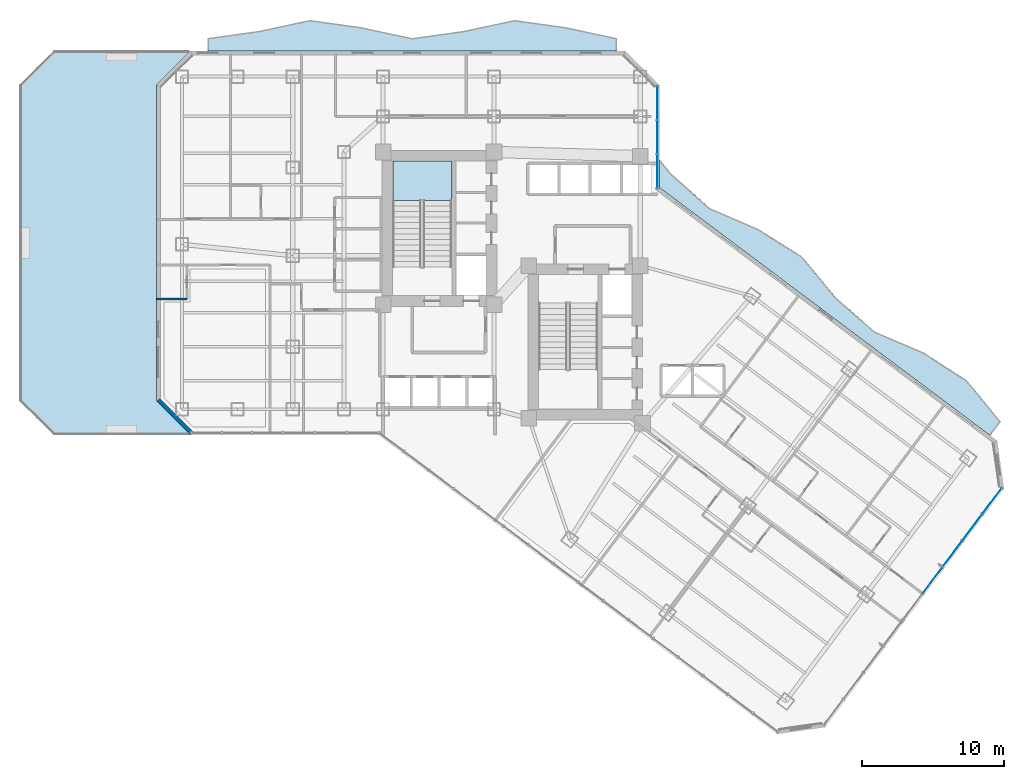
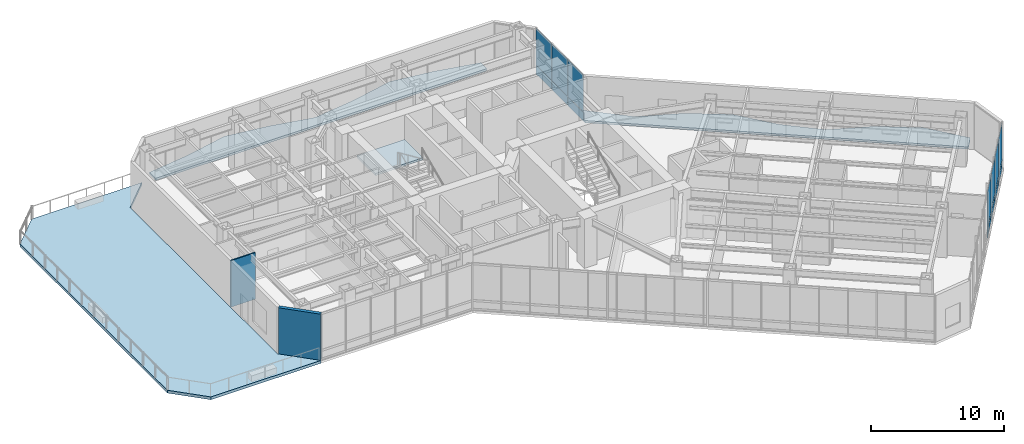
# One storey, part 15 of 27: 14 plates, 4 slabs, 2 walls, 3 elements without a shape of their own.
"""IFC4 building model written with IfcOpenShell, lengths in metres."""

from ifc_helpers import new_model, si_unit, direction, frame, frame_2d, origin, origin_2d, place, context, subcontext, project, spatial, polyline, rectangle, outline, extrude, material, layer, layer_set, type_object, element, aggregate, save


model = new_model("IFC4")

# Units and contexts
model_context = context("Model", 3, precision=1e-05, world=origin(), true_north=direction((0.0, 1.0)))
body_context = subcontext(model_context, "Body", "Model", "MODEL_VIEW")
ifc_project = project(units=[si_unit("LENGTHUNIT", "METRE"), si_unit("AREAUNIT", "SQUARE_METRE"), si_unit("VOLUMEUNIT", "CUBIC_METRE"), si_unit("PLANEANGLEUNIT", "RADIAN"), si_unit("MASSUNIT", "GRAM", prefix="KILO")], contexts=[model_context])

# Site, building, storey
site_placement = place(None, origin())
site = spatial("IfcSite", under=ifc_project, at=site_placement, CompositionType="ELEMENT")
building_placement = place(site_placement, origin())
building = spatial("IfcBuilding", under=site, at=building_placement, Name="Hatsunagi Terrace Concourse", CompositionType="ELEMENT")
storey_placement = place(building_placement, frame((0.0, 0.0, 70.10009765625)))
storey = spatial("IfcBuildingStorey", under=building, at=storey_placement, Name="L18", CompositionType="ELEMENT", Elevation=70.10009765625)

# Curtain wall, plates
ifc_material_1 = material(Name="Anodised Aluminium Alloy 6063-T5", Category="aluminium")
ifc_layer_1 = layer(ifc_material_1, 0.199951171875)
ifc_layer_set_1 = layer_set([ifc_layer_1], Name="SkyLobbyAtrium_CW05")
curtain_wall_type = type_object("IfcCurtainWallType", Name="SkyLobbyAtrium_CW05", PredefinedType="NOTDEFINED", material=ifc_layer_set_1)
curtain_wall_1_placement = place(storey_placement, origin())
curtain_wall_1 = element("IfcCurtainWall", 1, at=curtain_wall_1_placement, inside=storey, type_object=curtain_wall_type, Name="Unitised Curtain Wall CW-05 CW-L18-03", PredefinedType="NOTDEFINED")
ifc_material_2 = material(Name="Warm Terracotta Ceramic Spandrel Panel", Category="masonry")
ifc_layer_2 = layer(ifc_material_2, 0.031982421875)
ifc_layer_set_2 = layer_set([ifc_layer_2], Name="CurtainWallSpandrelPanel_32")
plate_type_1 = type_object("IfcPlateType", Name="CurtainWallSpandrelPanel_32", PredefinedType="SHEET", material=ifc_layer_set_2)
plate_1_placement = place(storey_placement, frame((68.39697265625, 18.72998046875, 0.02978515625), z_axis=(0.0, 0.0, 1.0), x_axis=(-0.599969314634, -0.800023013105, 0.0)))
plate_1 = element("IfcPlate", 2, at=plate_1_placement, type_object=plate_type_1, Name="Terracotta Spandrel Panel SPN-01", PredefinedType="SHEET", context=body_context, shape_type="SweptSolid", body=[
    extrude(rectangle(XDim=2.264892578125, YDim=0.031982421875, at=origin_2d()), origin(), (0.0, 0.0, 1.0), 0.7900390625),
])
plate_2_placement = place(storey_placement, frame((67.0048828125, 16.873046875, 0.02978515625), z_axis=(0.0, 0.0, 1.0), x_axis=(-0.599969314634, -0.800023013105, 0.0)))
plate_2 = element("IfcPlate", 3, at=plate_2_placement, type_object=plate_type_1, Name="Terracotta Spandrel Panel SPN-01", PredefinedType="SHEET", context=body_context, shape_type="SweptSolid", body=[
    extrude(rectangle(XDim=2.264892578125, YDim=0.031982421875, at=origin_2d()), origin(), (0.0, 0.0, 1.0), 0.7900390625),
])
plate_3_placement = place(storey_placement, frame((65.612060546875, 15.01708984375, 0.02978515625), z_axis=(0.0, 0.0, 1.0), x_axis=(-0.599969314634, -0.800023013105, 0.0)))
plate_3 = element("IfcPlate", 4, at=plate_3_placement, type_object=plate_type_1, Name="Terracotta Spandrel Panel SPN-01", PredefinedType="SHEET", context=body_context, shape_type="SweptSolid", body=[
    extrude(rectangle(XDim=2.264892578125, YDim=0.031982421875, at=origin_2d()), origin(), (0.0, 0.0, 1.0), 0.7900390625),
])
plate_4_placement = place(storey_placement, frame((64.219970703125, 13.159912109375, 0.02978515625), z_axis=(0.0, 0.0, 1.0), x_axis=(-0.599969314634, -0.800023013105, 0.0)))
plate_4 = element("IfcPlate", 5, at=plate_4_placement, type_object=plate_type_1, Name="Terracotta Spandrel Panel SPN-01", PredefinedType="SHEET", context=body_context, shape_type="SweptSolid", body=[
    extrude(rectangle(XDim=2.264892578125, YDim=0.031982421875, at=origin_2d()), origin(), (0.0, 0.0, 1.0), 0.7900390625),
])

curtain_wall_2_placement = place(storey_placement, origin())
curtain_wall_2 = element("IfcCurtainWall", 6, at=curtain_wall_2_placement, inside=storey, type_object=curtain_wall_type, Name="Unitised Curtain Wall CW-05 CW-L18-13", PredefinedType="NOTDEFINED")
plate_5_placement = place(storey_placement, frame((44.860107421875, 46.739990234375, 0.02978515625), z_axis=(0.0, 0.0, 1.0), x_axis=(0.0, -1.0, 0.0)))
plate_5 = element("IfcPlate", 7, at=plate_5_placement, type_object=plate_type_1, Name="Terracotta Spandrel Panel SPN-01", PredefinedType="SHEET", context=body_context, shape_type="SweptSolid", body=[
    extrude(rectangle(XDim=2.34912109375, YDim=0.031982421875, at=origin_2d()), origin(), (0.0, 0.0, 1.0), 0.7900390625),
])
plate_6_placement = place(storey_placement, frame((44.860107421875, 44.3359375, 0.02978515625), z_axis=(0.0, 0.0, 1.0), x_axis=(0.0, -1.0, 0.0)))
plate_6 = element("IfcPlate", 8, at=plate_6_placement, type_object=plate_type_1, Name="Terracotta Spandrel Panel SPN-01", PredefinedType="SHEET", context=body_context, shape_type="SweptSolid", body=[
    extrude(rectangle(XDim=2.34912109375, YDim=0.031982421875, at=origin_2d()), origin(), (0.0, 0.0, 1.0), 0.7900390625),
])
plate_7_placement = place(storey_placement, frame((44.860107421875, 41.931884765625, 0.02978515625), z_axis=(0.0, 0.0, 1.0), x_axis=(0.0, -1.0, 0.0)))
plate_7 = element("IfcPlate", 9, at=plate_7_placement, type_object=plate_type_1, Name="Terracotta Spandrel Panel SPN-01", PredefinedType="SHEET", context=body_context, shape_type="SweptSolid", body=[
    extrude(rectangle(XDim=2.34912109375, YDim=0.031982421875, at=origin_2d()), origin(), (0.0, 0.0, 1.0), 0.7900390625),
])

# Plate
ifc_material_3 = material(Name="Low-E Double Insulating Glass 28mm", Category="glass")
ifc_layer_3 = layer(ifc_material_3, 0.028076171875)
ifc_layer_set_3 = layer_set([ifc_layer_3], Name="CurtainWallVisionGlass_28")
plate_type_2 = type_object("IfcPlateType", Name="CurtainWallVisionGlass_28", PredefinedType="CURTAIN_PANEL", material=ifc_layer_set_3)
plate_8_placement = place(storey_placement, frame((68.39697265625, 18.72998046875, 0.8798828125), z_axis=(0.0, 0.0, 1.0), x_axis=(-0.599969314634, -0.800023013105, 0.0)))
plate_8 = element("IfcPlate", 10, at=plate_8_placement, type_object=plate_type_2, Name="Low-E Vision Glass Panel GLZ-01", PredefinedType="CURTAIN_PANEL", context=body_context, shape_type="SweptSolid", body=[
    extrude(rectangle(XDim=2.264892578125, YDim=0.028076171875, at=origin_2d()), origin(), (0.0, 0.0, 1.0), 3.3701171875),
])

plate_9_placement = place(storey_placement, frame((67.0048828125, 16.873046875, 0.8798828125), z_axis=(0.0, 0.0, 1.0), x_axis=(-0.599969314634, -0.800023013105, 0.0)))
plate_9 = element("IfcPlate", 11, at=plate_9_placement, type_object=plate_type_2, Name="Low-E Vision Glass Panel GLZ-01", PredefinedType="CURTAIN_PANEL", context=body_context, shape_type="SweptSolid", body=[
    extrude(rectangle(XDim=2.264892578125, YDim=0.028076171875, at=origin_2d()), origin(), (0.0, 0.0, 1.0), 3.3701171875),
])

plate_10_placement = place(storey_placement, frame((65.612060546875, 15.01708984375, 0.8798828125), z_axis=(0.0, 0.0, 1.0), x_axis=(-0.599969314634, -0.800023013105, 0.0)))
plate_10 = element("IfcPlate", 12, at=plate_10_placement, type_object=plate_type_2, Name="Low-E Vision Glass Panel GLZ-01", PredefinedType="CURTAIN_PANEL", context=body_context, shape_type="SweptSolid", body=[
    extrude(rectangle(XDim=2.264892578125, YDim=0.028076171875, at=origin_2d()), origin(), (0.0, 0.0, 1.0), 3.3701171875),
])

plate_11_placement = place(storey_placement, frame((64.219970703125, 13.159912109375, 0.8798828125), z_axis=(0.0, 0.0, 1.0), x_axis=(-0.599969314634, -0.800023013105, 0.0)))
plate_11 = element("IfcPlate", 13, at=plate_11_placement, type_object=plate_type_2, Name="Low-E Vision Glass Panel GLZ-01", PredefinedType="CURTAIN_PANEL", context=body_context, shape_type="SweptSolid", body=[
    extrude(rectangle(XDim=2.264892578125, YDim=0.028076171875, at=origin_2d()), origin(), (0.0, 0.0, 1.0), 3.3701171875),
])

aggregate(curtain_wall_1, [plate_1, plate_8, plate_2, plate_9, plate_3, plate_10, plate_4, plate_11])

plate_12_placement = place(storey_placement, frame((44.860107421875, 46.739990234375, 0.8798828125), z_axis=(0.0, 0.0, 1.0), x_axis=(0.0, -1.0, 0.0)))
plate_12 = element("IfcPlate", 14, at=plate_12_placement, type_object=plate_type_2, Name="Low-E Vision Glass Panel GLZ-01", PredefinedType="CURTAIN_PANEL", context=body_context, shape_type="SweptSolid", body=[
    extrude(rectangle(XDim=2.34912109375, YDim=0.028076171875, at=origin_2d()), origin(), (0.0, 0.0, 1.0), 3.3701171875),
])

plate_13_placement = place(storey_placement, frame((44.860107421875, 44.3359375, 0.8798828125), z_axis=(0.0, 0.0, 1.0), x_axis=(0.0, -1.0, 0.0)))
plate_13 = element("IfcPlate", 15, at=plate_13_placement, type_object=plate_type_2, Name="Low-E Vision Glass Panel GLZ-01", PredefinedType="CURTAIN_PANEL", context=body_context, shape_type="SweptSolid", body=[
    extrude(rectangle(XDim=2.34912109375, YDim=0.028076171875, at=origin_2d()), origin(), (0.0, 0.0, 1.0), 3.3701171875),
])

plate_14_placement = place(storey_placement, frame((44.860107421875, 41.931884765625, 0.8798828125), z_axis=(0.0, 0.0, 1.0), x_axis=(0.0, -1.0, 0.0)))
plate_14 = element("IfcPlate", 16, at=plate_14_placement, type_object=plate_type_2, Name="Low-E Vision Glass Panel GLZ-01", PredefinedType="CURTAIN_PANEL", context=body_context, shape_type="SweptSolid", body=[
    extrude(rectangle(XDim=2.34912109375, YDim=0.028076171875, at=origin_2d()), origin(), (0.0, 0.0, 1.0), 3.3701171875),
])

aggregate(curtain_wall_2, [plate_5, plate_12, plate_6, plate_13, plate_7, plate_14])

# Stair, slab
ifc_material_4 = material(Name="Concrete Fc42", Category="concrete")
stair_type = type_object("IfcStairType", Name="DoglegExitStair_Tower2000_26R_173", PredefinedType="HALF_TURN_STAIR", material=ifc_material_4)
stair_placement = place(storey_placement, origin())
stair = element("IfcStair", 17, at=stair_placement, inside=storey, type_object=stair_type, Name="L18 Core A Protected Exit Stair ST-A", PredefinedType="HALF_TURN_STAIR")
ifc_material_5 = material(Name="Concrete Fc42", Category="concrete")
ifc_layer_4 = layer(ifc_material_5, 0.199951171875)
ifc_layer_set_4 = layer_set([ifc_layer_4], Name="DoglegStairLanding_Tower2000")
slab_type_1 = type_object("IfcSlabType", Name="DoglegStairLanding_Tower2000", PredefinedType="LANDING", material=ifc_layer_set_4)
slab_1_placement = place(storey_placement, frame((0.0, 0.0, 2.0498046875)))
slab_1 = element("IfcSlab", 18, at=slab_1_placement, type_object=slab_type_1, Name="ST-A landing 1", PredefinedType="LANDING", context=body_context, shape_type="SweptSolid", body=[
    extrude(outline(polyline([(30.3798828125, 39.8798828125), (30.3798828125, 42.659912109375), (26.22998046875, 42.659912109375), (26.22998046875, 39.8798828125), (30.3798828125, 39.8798828125)])), origin(), (0.0, 0.0, 1.0), 0.2001953125),
])
aggregate(stair, [slab_1])

# Slabs
ifc_material_6 = material(Name="Concrete Fc42", Category="concrete")
ifc_layer_5 = layer(ifc_material_6, 0.199951171875)
ifc_layer_set_5 = layer_set([ifc_layer_5], Name="EngawaBalconySlab_Fc42_200")
slab_type_2 = type_object("IfcSlabType", Name="EngawaBalconySlab_Fc42_200", PredefinedType="FLOOR", material=ifc_layer_set_5)
slab_2_placement = place(storey_placement, frame((0.0, 0.0, -0.2001953125)))
element("IfcSlab", 19, at=slab_2_placement, inside=storey, type_object=slab_type_2, Name="Engawa Balcony Slab BAL-L18-BN", PredefinedType="FLOOR", context=body_context, shape_type="SweptSolid", body=[
    extrude(outline(polyline([(13.199951171875, 51.31396484375), (13.199951171875, 50.39990234375), (42.0, 50.39990234375), (42.0, 51.31396484375), (38.39990234375, 52.0849609375), (34.800048828125, 52.5859375), (31.199951171875, 51.81494140625), (27.60009765625, 51.31396484375), (24.0, 52.0849609375), (20.39990234375, 52.5859375), (16.800048828125, 51.81494140625), (13.199951171875, 51.31396484375)])), origin(), (0.0, 0.0, 1.0), 0.2001953125),
])
slab_3_placement = place(storey_placement, frame((0.0, 0.0, -0.2001953125)))
element("IfcSlab", 20, at=slab_3_placement, inside=storey, type_object=slab_type_2, Name="Engawa Balcony Slab BAL-L18-BSE", PredefinedType="FLOOR", context=body_context, shape_type="SweptSolid", body=[
    extrude(outline(polyline([(45.799072265625, 41.81005859375), (44.99609375, 42.77392578125), (44.99609375, 40.802978515625), (68.280029296875, 23.340087890625), (69.011962890625, 24.31591796875), (66.64208984375, 27.2119140625), (63.5849609375, 29.19091796875), (60.14599609375, 30.660888671875), (57.405029296875, 33.06298828125), (55.02587890625, 35.946044921875), (51.93798828125, 37.884033203125), (48.509033203125, 39.366943359375), (45.799072265625, 41.81005859375)])), origin(), (0.0, 0.0, 1.0), 0.2001953125),
])
ifc_material_7 = material(Name="Concrete Fc42", Category="concrete")
ifc_layer_6 = layer(ifc_material_7, 0.260009765625)
ifc_layer_set_6 = layer_set([ifc_layer_6], Name="SkyGardenTerraceSlab_Fc42_260")
slab_type_3 = type_object("IfcSlabType", Name="SkyGardenTerraceSlab_Fc42_260", PredefinedType="ROOF", material=ifc_layer_set_6)
slab_4_placement = place(storey_placement, frame((0.0, 0.0, -0.22021484375)))
element("IfcSlab", 21, at=slab_4_placement, inside=storey, type_object=slab_type_3, Name="Sky Garden Terrace TER-L18-1", PredefinedType="ROOF", context=body_context, shape_type="SweptSolid", body=[
    extrude(outline(polyline([(2.39990234375, 23.39990234375), (11.98291015625, 23.39990234375), (9.587890625, 25.794921875), (9.587890625, 48.0048828125), (11.98291015625, 50.39990234375), (2.39990234375, 50.39990234375), (0.0, 48.0), (0.0, 25.800048828125), (2.39990234375, 23.39990234375)])), origin(), (0.0, 0.0, 1.0), 0.260009765625),
])

# Walls
ifc_material_8 = material(Name="Acoustic mineral board", Category="gypsum")
ifc_layer_7 = layer(ifc_material_8, 0.1201171875)
ifc_layer_set_7 = layer_set([ifc_layer_7], Name="PartitionWall_EI30_120")
wall_type_1 = type_object("IfcWallType", Name="PartitionWall_EI30_120", PredefinedType="PARTITIONING", material=ifc_layer_set_7)
wall_1_placement = place(storey_placement, frame((9.639892578125, 32.949951171875, 0.0), z_axis=(0.0, 0.0, 1.0), x_axis=(1.0, 0.0, 0.0)))
element("IfcWall", 22, at=wall_1_placement, inside=storey, type_object=wall_type_1, Name="Interior Partition IW-L18-059", PredefinedType="PARTITIONING", context=body_context, shape_type="SweptSolid", body=[
    extrude(rectangle(XDim=2.110107421875, YDim=0.1201171875, at=frame_2d((1.05517578125, 0.0))), origin(), (0.0, 0.0, 1.0), 4.27978515625),
])
ifc_material_9 = material(Name="Autoclaved Lightweight Concrete and Terracotta Cladding", Category="masonry")
ifc_layer_8 = layer(ifc_material_9, 0.280029296875)
ifc_layer_set_8 = layer_set([ifc_layer_8], Name="TerracottaSpandrelWall_280")
wall_type_2 = type_object("IfcWallType", Name="TerracottaSpandrelWall_280", PredefinedType="STANDARD", material=ifc_layer_set_8)
wall_2_placement = place(storey_placement, frame((12.05810546875, 23.5400390625, 0.0), z_axis=(0.0, 0.0, 1.0), x_axis=(-0.707144017911, 0.707069542501, 0.0)))
element("IfcWall", 23, at=wall_2_placement, inside=storey, type_object=wall_type_2, Name="Exterior Spandrel Wall EW-L18-08", PredefinedType="STANDARD", context=body_context, shape_type="SweptSolid", body=[
    extrude(rectangle(XDim=3.278076171875, YDim=0.280029296875, at=frame_2d((1.63916015625, 0.0))), origin(), (0.0, 0.0, 1.0), 4.27978515625),
])

save(model, "model.ifc")
